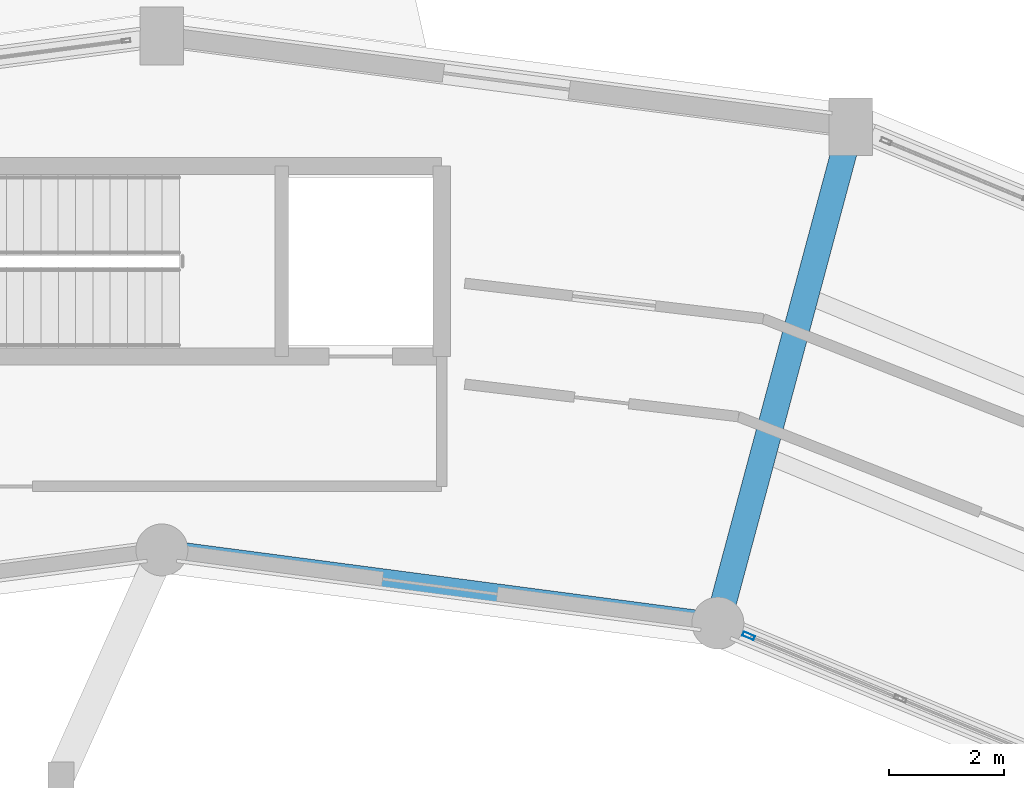
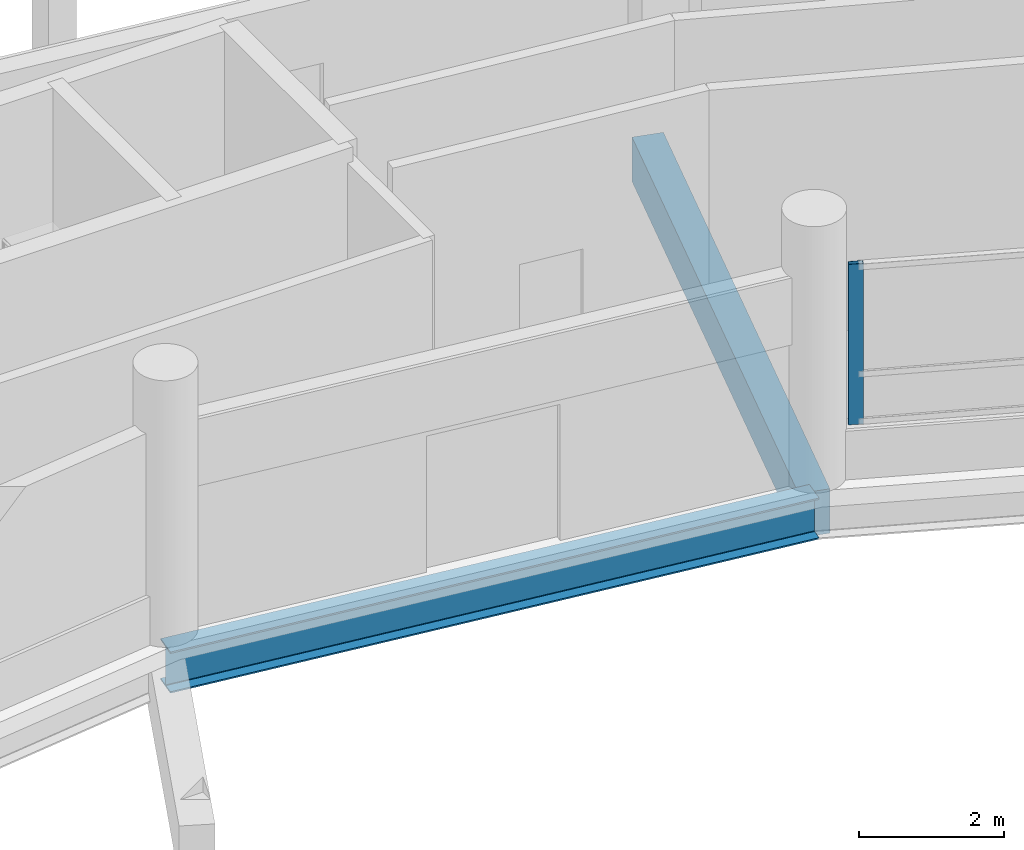
# One storey, part 61 of 129: 2 beams, 1 member, 1 element without a shape of its own.
"""IFC4 building model written with IfcOpenShell, lengths in metres."""

from ifc_helpers import new_model, si_unit, direction, frame, origin, origin_2d, place, context, subcontext, project, spatial, rectangle, hollow_rectangle, i_section, extrude, material, layer, layer_set, material_profile, profile_set, type_object, element, aggregate, save


model = new_model("IFC4")

# Units and contexts
model_context = context("Model", 3, precision=1e-05, world=origin(), true_north=direction((0.0, 1.0)))
body_context = subcontext(model_context, "Body", "Model", "MODEL_VIEW")
ifc_project = project(units=[si_unit("LENGTHUNIT", "METRE"), si_unit("AREAUNIT", "SQUARE_METRE"), si_unit("VOLUMEUNIT", "CUBIC_METRE"), si_unit("PLANEANGLEUNIT", "RADIAN"), si_unit("MASSUNIT", "GRAM", prefix="KILO")], contexts=[model_context])

# Site, building, storey
site_placement = place(None, origin())
site = spatial("IfcSite", under=ifc_project, at=site_placement, CompositionType="ELEMENT")
building_placement = place(site_placement, origin())
building = spatial("IfcBuilding", under=site, at=building_placement, Name="Vespera Passage Community Centre", CompositionType="ELEMENT")
storey_placement = place(building_placement, origin())
storey = spatial("IfcBuildingStorey", under=building, at=storey_placement, Name="L00", CompositionType="ELEMENT", Elevation=0.0)

# Beams
ifc_material_1 = material(Name="Concrete f'c 35 MPa", Category="concrete")
ifc_material_profile_1 = material_profile(ifc_material_1, rectangle(XDim=0.449951171875, YDim=0.75, at=origin_2d()), Name="RC450X750")
ifc_profile_set_1 = profile_set([ifc_material_profile_1], Name="Concrete f'c 35 MPa")
beam_type_1 = type_object("IfcBeamType", Name="BM-G-450X750", PredefinedType="BEAM", material=ifc_profile_set_1)
beam_1_placement = place(storey_placement, frame((87.628173828125, 101.432373046875, -0.655029296875), z_axis=(0.258811497245, 0.9659278487, 0.0), x_axis=(-0.9659278487, 0.258811497245, 0.0)))
element("IfcBeam", 1, at=beam_1_placement, inside=storey, type_object=beam_type_1, Name="V4 L00 Radial Girder 5", PredefinedType="BEAM", context=body_context, shape_type="SweptSolid", body=[
    extrude(rectangle(XDim=0.449951171875, YDim=0.75, at=origin_2d()), origin(), (0.0, 0.0, 1.0), 8.900146484375),
])
ifc_material_2 = material(Name="Steel ASTM A992 Grade 50", Category="steel")
ifc_material_profile_2 = material_profile(ifc_material_2, i_section(OverallWidth=0.3544921875, OverallDepth=0.695556640625, WebThickness=0.015380859375, FlangeThickness=0.024658203125, FilletRadius=0.01513671875, at=origin_2d()), Name="W27X146")
ifc_profile_set_2 = profile_set([ifc_material_profile_2], Name="Steel ASTM A992 Grade 50")
beam_type_2 = type_object("IfcBeamType", Name="BM-SP-W27X146E", PredefinedType="SPANDREL", material=ifc_profile_set_2)
beam_2_placement = place(storey_placement, frame((87.628173828125, 101.432373046875, -0.627685546875), z_axis=(-0.991444794834, 0.130526697639, 0.0), x_axis=(-0.130526697639, -0.991444794834, 0.0)))
element("IfcBeam", 2, at=beam_2_placement, inside=storey, type_object=beam_type_2, Name="V4 L00 Inner Spandrel 5", PredefinedType="SPANDREL", context=body_context, shape_type="SweptSolid", body=[
    extrude(i_section(OverallWidth=0.3544921875, OverallDepth=0.695556640625, WebThickness=0.015380859375, FlangeThickness=0.024658203125, FilletRadius=0.01513671875, at=origin_2d()), origin(), (0.0, 0.0, 1.0), 9.711181640625),
])

# Curtain wall, member
ifc_material_3 = material(Name="Anodized aluminium 6063-T6", Category="aluminium")
ifc_layer = layer(ifc_material_3, 0.159912109375)
ifc_layer_set = layer_set([ifc_layer], Name="Anodized aluminium 6063-T6")
curtain_wall_type = type_object("IfcCurtainWallType", Name="CW-02E", PredefinedType="NOTDEFINED", material=ifc_layer_set)
curtain_wall_placement = place(storey_placement, origin())
curtain_wall = element("IfcCurtainWall", 3, at=curtain_wall_placement, inside=storey, type_object=curtain_wall_type, Name="V4 L00 Inner Court Curtain Wall 4", PredefinedType="NOTDEFINED")
ifc_material_4 = material(Name="Anodized aluminium 6063-T6", Category="aluminium")
ifc_material_profile_3 = material_profile(ifc_material_4, hollow_rectangle(XDim=0.074951171875, YDim=0.2099609375, WallThickness=0.0048828125, InnerFilletRadius=0.00244140625, OuterFilletRadius=0.0048828125, at=origin_2d()), Name="ALU210X75X5")
ifc_profile_set_3 = profile_set([ifc_material_profile_3], Name="Anodized aluminium 6063-T6")
member_type = type_object("IfcMemberType", Name="MB-CWM-210E", PredefinedType="MULLION", material=ifc_profile_set_3)
member_placement = place(storey_placement, frame((88.161376953125, 101.211669921875, 0.820068359375), z_axis=(0.0, 0.0, 1.0), x_axis=(-0.382690463482, -0.923876620096, 0.0)))
member = element("IfcMember", 4, at=member_placement, type_object=member_type, Name="CW-02E mullion 4", PredefinedType="MULLION", context=body_context, shape_type="SweptSolid", body=[
    extrude(hollow_rectangle(XDim=0.074951171875, YDim=0.2099609375, WallThickness=0.0048828125, InnerFilletRadius=0.00244140625, OuterFilletRadius=0.0048828125, at=origin_2d()), origin(), (0.0, 0.0, 1.0), 2.709228515625),
])
aggregate(curtain_wall, [member])

save(model, "model.ifc")
